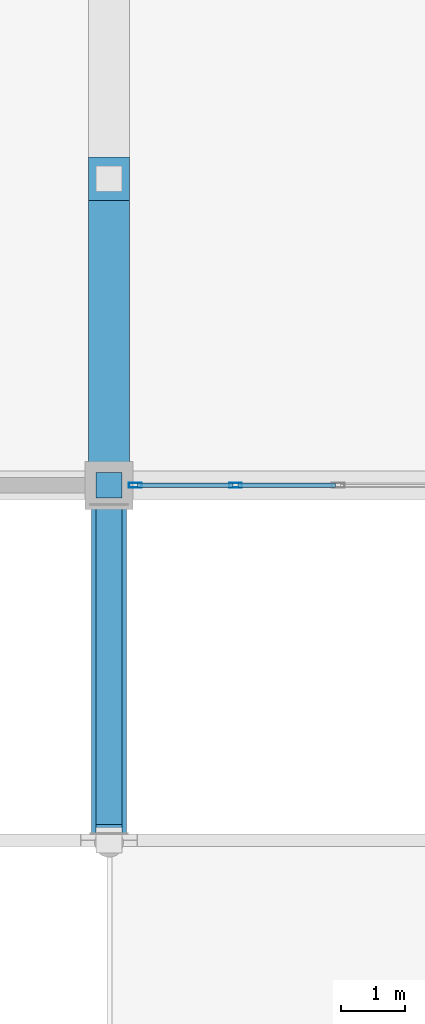
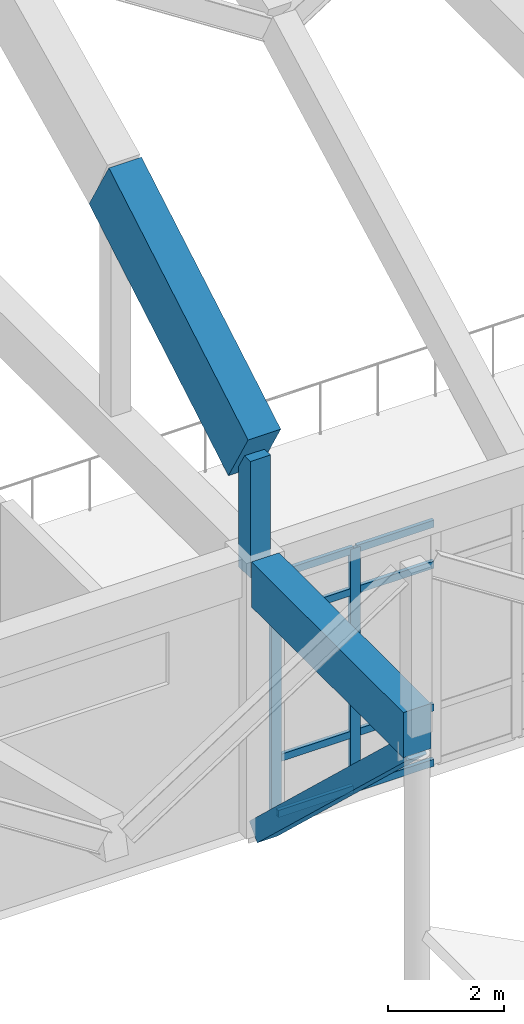
# One storey, part 29 of 236: 13 members, 1 beam, 1 element without a shape of its own.
"""IFC4 building model written with IfcOpenShell, lengths in metres."""

import ifcopenshell
import ifcopenshell.guid

model = None  # the IFC model being written
_history = None  # IfcOwnerHistory: only IFC2X3 demands one
_inside = {}  # id of a spatial element -> (the spatial element, [elements in it])
_under = {}  # id of a project, library or spatial element -> (it, [spatial elements below it])
_declared = {}  # id of a project -> (the project, [libraries it declares])
_typed = {}  # id of a type object -> (the type object, [elements of that type])
_made_of = {}  # id of a material, layer set ... -> (it, [elements and type objects made of it])


def new_model(schema):
    """Start an empty IFC model of exactly this schema.

    Asked for "IFC4X3", IfcOpenShell would pick the latest addendum, in which some entities
    have other attributes; the version numbers below select the first issue.
    IFC2X3 requires an IfcOwnerHistory on every rooted entity: one is made here for all.
    """
    global model, _history
    if schema == "IFC4X3":
        model = ifcopenshell.file(schema_version=(4, 3, 0, 0))
    else:
        model = ifcopenshell.file(schema=schema)
    _inside.clear()
    _under.clear()
    _declared.clear()
    _typed.clear()
    _made_of.clear()
    _history = None
    if model.schema == "IFC2X3":
        org = make("IfcOrganization", Name="unknown")
        user = make(
            "IfcPersonAndOrganization",
            ThePerson=make("IfcPerson", FamilyName="unknown"),
            TheOrganization=org,
        )
        app = make(
            "IfcApplication",
            ApplicationDeveloper=org,
            Version="unknown",
            ApplicationFullName="unknown",
            ApplicationIdentifier="unknown",
        )
        _history = make(
            "IfcOwnerHistory",
            OwningUser=user,
            OwningApplication=app,
            ChangeAction="ADDED",
            CreationDate=0,
        )
    return model


def make(cls, **values):
    """One entity of the class cls with the attributes given. An attribute that is None is left unset."""
    return model.create_entity(
        cls, **{name: value for name, value in values.items() if value is not None}
    )


def rooted(cls, **values):
    """An entity with a GlobalId (a new one), such as an element, a storey or a relation."""
    return make(cls, GlobalId=ifcopenshell.guid.new(), OwnerHistory=_history, **values)


def si_unit(unit_type, name, prefix=None):
    """IfcSIUnit, for example si_unit("LENGTHUNIT", "METRE", prefix="MILLI")."""
    return make("IfcSIUnit", UnitType=unit_type, Prefix=prefix, Name=name)


def assignment(units):
    """IfcUnitAssignment: the units of a project."""
    return None if units is None else make("IfcUnitAssignment", Units=units)


def point(xyz):
    """IfcCartesianPoint."""
    return None if xyz is None else make("IfcCartesianPoint", Coordinates=xyz)


def direction(xyz):
    """IfcDirection."""
    return None if xyz is None else make("IfcDirection", DirectionRatios=xyz)


def frame(location, z_axis=None, x_axis=None):
    """IfcAxis2Placement3D, a coordinate frame: its origin and axes. An axis left out is left unset."""
    return make(
        "IfcAxis2Placement3D",
        Location=point(location),
        Axis=direction(z_axis),
        RefDirection=direction(x_axis),
    )


def frame_2d(location, x_axis=None):
    """IfcAxis2Placement2D, a coordinate frame in the plane: its origin and x axis."""
    return make(
        "IfcAxis2Placement2D", Location=point(location), RefDirection=direction(x_axis)
    )


def origin():
    """The frame at (0, 0, 0) with its axes left unset."""
    return frame((0.0, 0.0, 0.0))


def origin_2d():
    """The frame at (0, 0) in the plane with its x axis left unset."""
    return frame_2d((0.0, 0.0))


def place(relative_to, where):
    """IfcLocalPlacement: puts the frame where relative to a parent placement (None: the world)."""
    return make(
        "IfcLocalPlacement", PlacementRelTo=relative_to, RelativePlacement=where
    )


def context(
    kind, dimensions, precision=None, world=None, true_north=None, identifier=None
):
    """IfcGeometricRepresentationContext, for example the 3D "Model" context."""
    return make(
        "IfcGeometricRepresentationContext",
        ContextIdentifier=identifier,
        ContextType=kind,
        CoordinateSpaceDimension=dimensions,
        Precision=precision,
        WorldCoordinateSystem=world,
        TrueNorth=true_north,
    )


def subcontext(parent, identifier, kind, view, scale=None):
    """IfcGeometricRepresentationSubContext, for example "Body" below "Model"."""
    return make(
        "IfcGeometricRepresentationSubContext",
        ContextIdentifier=identifier,
        ContextType=kind,
        ParentContext=parent,
        TargetScale=scale,
        TargetView=view,
    )


def project(units=None, contexts=None):
    """IfcProject with its units and contexts."""
    return rooted(
        "IfcProject",
        Name="project",
        RepresentationContexts=contexts,
        UnitsInContext=assignment(units),
    )


def spatial(cls, under=None, at=None, **own):
    """A site, building, storey or space (cls), placed at a placement, below another one or the project."""
    s = rooted(cls, ObjectPlacement=at, **own)
    if under is not None:
        _under.setdefault(under.id(), (under, []))[1].append(s)
    return s


def profile(cls, at=None, kind="AREA", **sizes):
    """A parametric profile (cls). Its sizes go by their IFC names, for example OverallWidth=200.0."""
    return make(cls, ProfileType=kind, Position=at, **sizes)


def rectangle(**sizes):
    """IfcRectangleProfileDef."""
    return profile("IfcRectangleProfileDef", **sizes)


def hollow_rectangle(**sizes):
    """IfcRectangleHollowProfileDef."""
    return profile("IfcRectangleHollowProfileDef", **sizes)


def extrude(swept, where, along, depth):
    """IfcExtrudedAreaSolid: the profile swept, set in the frame where, extruded along a direction by depth."""
    return make(
        "IfcExtrudedAreaSolid",
        SweptArea=swept,
        Position=where,
        ExtrudedDirection=direction(along),
        Depth=depth,
    )


def shape(context_of_items, identifier, shape_type, items):
    """IfcShapeRepresentation: the items that make up one representation, for example the "Body"."""
    return make(
        "IfcShapeRepresentation",
        ContextOfItems=context_of_items,
        RepresentationIdentifier=identifier,
        RepresentationType=shape_type,
        Items=items,
    )


def material(Name=None, Category=None):
    """IfcMaterial."""
    return make("IfcMaterial", Name=Name, Category=Category)


def layer(
    of_material, thickness, ventilated=None, Name=None, Category=None, Priority=None
):
    """IfcMaterialLayer: one layer of a wall or slab, of a material (None: an air gap)."""
    return make(
        "IfcMaterialLayer",
        Material=of_material,
        LayerThickness=thickness,
        IsVentilated=ventilated,
        Name=Name,
        Category=Category,
        Priority=Priority,
    )


def layer_set(layers, Name=None):
    """IfcMaterialLayerSet."""
    return make("IfcMaterialLayerSet", MaterialLayers=layers, LayerSetName=Name)


def material_profile(
    of_material, cross_section, Name=None, Category=None, Priority=None
):
    """IfcMaterialProfile: a cross section and its material."""
    return make(
        "IfcMaterialProfile",
        Name=Name,
        Material=of_material,
        Profile=cross_section,
        Priority=Priority,
        Category=Category,
    )


def profile_set(profiles, Name=None, composite=None):
    """IfcMaterialProfileSet."""
    return make(
        "IfcMaterialProfileSet",
        Name=Name,
        MaterialProfiles=profiles,
        CompositeProfile=composite,
    )


def made_of(thing, what):
    """Note that an element or type object is made of a material, layer set ...; save() writes the relation."""
    if what is not None:
        _made_of.setdefault(what.id(), (what, []))[1].append(thing)
    return thing


def type_object(cls, material=None, **own):
    """A type object (cls), such as IfcWallType, which elements share."""
    return made_of(rooted(cls, **own), material)


def element(
    cls,
    number,
    at=None,
    inside=None,
    cuts=None,
    type_object=None,
    material=None,
    context=None,
    identifier="Body",
    shape_type=None,
    held_by="IfcProductDefinitionShape",
    body=None,
    shapes=None,
    **own,
):
    """One element of the class cls, such as IfcWall. Its Tag is "e" and its number.

    at: its placement. inside: the storey or other place that contains it. cuts: it is an
    opening in that element (IfcRelVoidsElement). A single representation is given by context,
    identifier, shape_type and body (its items); several are given by shapes. held_by: the class
    of the entity that holds the representations. save() writes the other relations.
    """
    e = rooted(cls, Tag="e%d" % number, ObjectPlacement=at, **own)
    if body is not None:
        shapes = [shape(context, identifier, shape_type, body)]
    if shapes is not None:
        e.Representation = make(held_by, Representations=shapes)
    if inside is not None:
        _inside.setdefault(inside.id(), (inside, []))[1].append(e)
    if cuts is not None:
        rooted(
            "IfcRelVoidsElement", RelatingBuildingElement=cuts, RelatedOpeningElement=e
        )
    if type_object is not None:
        _typed.setdefault(type_object.id(), (type_object, []))[1].append(e)
    return made_of(e, material)


def aggregate(whole, parts):
    """IfcRelAggregates: a whole, such as a stair, and the parts it consists of."""
    return rooted("IfcRelAggregates", RelatingObject=whole, RelatedObjects=parts)


def save(model, path):
    """Write the relations noted so far, then the file.

    IfcRelAggregates (storeys below a building ...), IfcRelContainedInSpatialStructure (elements
    in a storey), IfcRelDefinesByType, IfcRelAssociatesMaterial and IfcRelDeclares: one each for
    every whole, place, type object, material and project.
    """
    for whole, parts in _under.values():
        aggregate(whole, parts)
    for where, things in _inside.values():
        rooted(
            "IfcRelContainedInSpatialStructure",
            RelatedElements=things,
            RelatingStructure=where,
        )
    for kind, things in _typed.values():
        rooted("IfcRelDefinesByType", RelatedObjects=things, RelatingType=kind)
    for what, things in _made_of.values():
        rooted("IfcRelAssociatesMaterial", RelatedObjects=things, RelatingMaterial=what)
    for by, libraries in _declared.values():
        rooted("IfcRelDeclares", RelatingContext=by, RelatedDefinitions=libraries)
    model.write(path)


model = new_model("IFC4")

# Units and contexts
model_context = context("Model", 3, precision=1e-05, world=origin(), true_north=direction((0.0, 1.0)))
body_context = subcontext(model_context, "Body", "Model", "MODEL_VIEW")
ifc_project = project(units=[si_unit("LENGTHUNIT", "METRE"), si_unit("AREAUNIT", "SQUARE_METRE"), si_unit("VOLUMEUNIT", "CUBIC_METRE"), si_unit("PLANEANGLEUNIT", "RADIAN"), si_unit("MASSUNIT", "GRAM", prefix="KILO")], contexts=[model_context])

# Site, building, storey
site_placement = place(None, origin())
site = spatial("IfcSite", under=ifc_project, at=site_placement, CompositionType="ELEMENT")
building_placement = place(site_placement, origin())
building = spatial("IfcBuilding", under=site, at=building_placement, Name="Pandanus Reach Market Hall", CompositionType="ELEMENT")
storey_placement = place(building_placement, frame((0.0, 0.0, 5.39990234375)))
storey = spatial("IfcBuildingStorey", under=building, at=storey_placement, Name="L01", CompositionType="ELEMENT", Elevation=5.39990234375)

# Members
ifc_material_1 = material(Name="Concrete N50 (50 MPa)", Category="concrete")
ifc_material_profile_1 = material_profile(ifc_material_1, rectangle(XDim=0.64990234375, YDim=1.35009765625, at=origin_2d()), Name="RC650x1350", Category="LoadBearing")
ifc_profile_set_1 = profile_set([ifc_material_profile_1], Name="Concrete N50 (50 MPa)")
member_type_1 = type_object("IfcMemberType", Name="AR-RC650-E", PredefinedType="CHORD", material=ifc_profile_set_1)
member_1_placement = place(storey_placement, frame((60.0, 28.800048828125, 7.780029296875), z_axis=(0.0, 0.862897305689, 0.505379302935), x_axis=(-1.0, 0.0, 0.0)))
element("IfcMember", 1, at=member_1_placement, inside=storey, type_object=member_type_1, Name="Parabolic arch top chord A2.1", PredefinedType="CHORD", context=body_context, shape_type="SweptSolid", body=[
    extrude(rectangle(XDim=0.64990234375, YDim=1.35009765625, at=origin_2d()), origin(), (0.0, 0.0, 1.0), 5.562744140625),
])
ifc_material_profile_2 = material_profile(ifc_material_1, rectangle(XDim=0.39990234375, YDim=0.39990234375, at=origin_2d()), Name="RC400x400", Category="LoadBearing")
ifc_profile_set_2 = profile_set([ifc_material_profile_2], Name="Concrete N50 (50 MPa)")
member_type_2 = type_object("IfcMemberType", Name="AR-WEB400-E", PredefinedType="STRUT", material=ifc_profile_set_2)
member_2_placement = place(storey_placement, frame((60.0, 28.800048828125, 5.3251953125), z_axis=(0.0, 0.0, 1.0), x_axis=(1.0, 0.0, 0.0)))
element("IfcMember", 2, at=member_2_placement, inside=storey, type_object=member_type_2, Name="Arch springing concrete strut A2.S", PredefinedType="STRUT", context=body_context, shape_type="SweptSolid", body=[
    extrude(rectangle(XDim=0.39990234375, YDim=0.39990234375, at=origin_2d()), origin(), (0.0, 0.0, 1.0), 2.454833984375),
])

# Beam
ifc_material_profile_3 = material_profile(ifc_material_1, rectangle(XDim=0.550048828125, YDim=0.949951171875, at=origin_2d()), Name="RC550x950", Category="LoadBearing")
ifc_profile_set_3 = profile_set([ifc_material_profile_3], Name="Concrete N50 (50 MPa)")
beam_type = type_object("IfcBeamType", Name="BM-RC550-E", PredefinedType="BEAM", material=ifc_profile_set_3)
beam_placement = place(storey_placement, frame((60.0, 23.199951171875, 5.3251953125), z_axis=(0.0, 1.0, 0.0), x_axis=(-1.0, 0.0, 0.0)))
element("IfcBeam", 3, at=beam_placement, inside=storey, type_object=beam_type, Name="Zigzag south eaves cantilever girder A2", PredefinedType="BEAM", context=body_context, shape_type="SweptSolid", body=[
    extrude(rectangle(XDim=0.550048828125, YDim=0.949951171875, at=origin_2d()), origin(), (0.0, 0.0, 1.0), 5.22998046875),
])

# Curtain wall, members
ifc_material_2 = material(Name="Bronze anodised aluminium and low-E glass", Category="aluminium")
ifc_layer = layer(ifc_material_2, 0.199951171875, Name="CW-02")
ifc_layer_set = layer_set([ifc_layer], Name="Bronze anodised aluminium and low-E glass")
curtain_wall_type = type_object("IfcCurtainWallType", Name="CW-02", PredefinedType="NOTDEFINED", material=ifc_layer_set)
curtain_wall_placement = place(storey_placement, origin())
curtain_wall = element("IfcCurtainWall", 4, at=curtain_wall_placement, inside=storey, type_object=curtain_wall_type, Name="Glazed curtain wall CW-02 CW-0002", PredefinedType="NOTDEFINED")
ifc_material_3 = material(Name="Bronze anodised aluminium", Category="aluminium")
ifc_material_profile_4 = material_profile(ifc_material_3, hollow_rectangle(XDim=0.074951171875, YDim=0.199951171875, WallThickness=0.00439453125, at=origin_2d()), Name="ALU75x200", Category="LoadBearing")
ifc_profile_set_4 = profile_set([ifc_material_profile_4], Name="Bronze anodised aluminium")
member_type_3 = type_object("IfcMemberType", Name="CW-M2", PredefinedType="MULLION", material=ifc_profile_set_4)
member_3_placement = place(storey_placement, frame((60.41259765625, 28.800048828125, 0.0), z_axis=(0.0, 0.0, 1.0), x_axis=(0.0, 1.0, 0.0)))
member_3 = element("IfcMember", 5, at=member_3_placement, type_object=member_type_3, Name="CW-02 mullion 1", PredefinedType="MULLION", context=body_context, shape_type="SweptSolid", body=[
    extrude(hollow_rectangle(XDim=0.074951171875, YDim=0.199951171875, WallThickness=0.00439453125, at=origin_2d()), origin(), (0.0, 0.0, 1.0), 5.10009765625),
])
member_4_placement = place(storey_placement, frame((61.982177734375, 28.800048828125, 0.0), z_axis=(0.0, 0.0, 1.0), x_axis=(0.0, 1.0, 0.0)))
member_4 = element("IfcMember", 6, at=member_4_placement, type_object=member_type_3, Name="CW-02 mullion 2", PredefinedType="MULLION", context=body_context, shape_type="SweptSolid", body=[
    extrude(hollow_rectangle(XDim=0.074951171875, YDim=0.199951171875, WallThickness=0.00439453125, at=origin_2d()), origin(), (0.0, 0.0, 1.0), 5.10009765625),
])
ifc_material_profile_5 = material_profile(ifc_material_3, hollow_rectangle(XDim=0.074951171875, YDim=0.14990234375, WallThickness=0.00439453125, at=origin_2d()), Name="ALU75x150", Category="LoadBearing")
ifc_profile_set_5 = profile_set([ifc_material_profile_5], Name="Bronze anodised aluminium")
member_type_4 = type_object("IfcMemberType", Name="CW-T2", PredefinedType="USERDEFINED", material=ifc_profile_set_5)
member_5_placement = place(storey_placement, frame((60.449951171875, 28.800048828125, 0.03759765625), z_axis=(1.0, 0.0, 0.0), x_axis=(0.0, 1.0, 0.0)))
member_5 = element("IfcMember", 7, at=member_5_placement, type_object=member_type_4, Name="CW-02 transom 1.1", ObjectType="TRANSOM", PredefinedType="USERDEFINED", context=body_context, shape_type="SweptSolid", body=[
    extrude(hollow_rectangle(XDim=0.074951171875, YDim=0.14990234375, WallThickness=0.00439453125, at=origin_2d()), origin(), (0.0, 0.0, 1.0), 1.49462890625),
])
member_6_placement = place(storey_placement, frame((60.449951171875, 28.800048828125, 1.2001953125), z_axis=(1.0, 0.0, 0.0), x_axis=(0.0, 1.0, 0.0)))
member_6 = element("IfcMember", 8, at=member_6_placement, type_object=member_type_4, Name="CW-02 transom 1.2", ObjectType="TRANSOM", PredefinedType="USERDEFINED", context=body_context, shape_type="SweptSolid", body=[
    extrude(hollow_rectangle(XDim=0.074951171875, YDim=0.14990234375, WallThickness=0.00439453125, at=origin_2d()), origin(), (0.0, 0.0, 1.0), 1.49462890625),
])
member_7_placement = place(storey_placement, frame((60.449951171875, 28.800048828125, 4.2001953125), z_axis=(1.0, 0.0, 0.0), x_axis=(0.0, 1.0, 0.0)))
member_7 = element("IfcMember", 9, at=member_7_placement, type_object=member_type_4, Name="CW-02 transom 1.3", ObjectType="TRANSOM", PredefinedType="USERDEFINED", context=body_context, shape_type="SweptSolid", body=[
    extrude(hollow_rectangle(XDim=0.074951171875, YDim=0.14990234375, WallThickness=0.00439453125, at=origin_2d()), origin(), (0.0, 0.0, 1.0), 1.49462890625),
])
member_8_placement = place(storey_placement, frame((60.449951171875, 28.800048828125, 5.0625), z_axis=(1.0, 0.0, 0.0), x_axis=(0.0, 1.0, 0.0)))
member_8 = element("IfcMember", 10, at=member_8_placement, type_object=member_type_4, Name="CW-02 transom 1.4", ObjectType="TRANSOM", PredefinedType="USERDEFINED", context=body_context, shape_type="SweptSolid", body=[
    extrude(hollow_rectangle(XDim=0.074951171875, YDim=0.14990234375, WallThickness=0.00439453125, at=origin_2d()), origin(), (0.0, 0.0, 1.0), 1.49462890625),
])
member_9_placement = place(storey_placement, frame((62.01953125, 28.800048828125, 0.03759765625), z_axis=(1.0, 0.0, 0.0), x_axis=(0.0, 1.0, 0.0)))
member_9 = element("IfcMember", 11, at=member_9_placement, type_object=member_type_4, Name="CW-02 transom 2.1", ObjectType="TRANSOM", PredefinedType="USERDEFINED", context=body_context, shape_type="SweptSolid", body=[
    extrude(hollow_rectangle(XDim=0.074951171875, YDim=0.14990234375, WallThickness=0.00439453125, at=origin_2d()), origin(), (0.0, 0.0, 1.0), 1.5322265625),
])
member_10_placement = place(storey_placement, frame((62.01953125, 28.800048828125, 1.2001953125), z_axis=(1.0, 0.0, 0.0), x_axis=(0.0, 1.0, 0.0)))
member_10 = element("IfcMember", 12, at=member_10_placement, type_object=member_type_4, Name="CW-02 transom 2.2", ObjectType="TRANSOM", PredefinedType="USERDEFINED", context=body_context, shape_type="SweptSolid", body=[
    extrude(hollow_rectangle(XDim=0.074951171875, YDim=0.14990234375, WallThickness=0.00439453125, at=origin_2d()), origin(), (0.0, 0.0, 1.0), 1.5322265625),
])
member_11_placement = place(storey_placement, frame((62.01953125, 28.800048828125, 4.2001953125), z_axis=(1.0, 0.0, 0.0), x_axis=(0.0, 1.0, 0.0)))
member_11 = element("IfcMember", 13, at=member_11_placement, type_object=member_type_4, Name="CW-02 transom 2.3", ObjectType="TRANSOM", PredefinedType="USERDEFINED", context=body_context, shape_type="SweptSolid", body=[
    extrude(hollow_rectangle(XDim=0.074951171875, YDim=0.14990234375, WallThickness=0.00439453125, at=origin_2d()), origin(), (0.0, 0.0, 1.0), 1.5322265625),
])
member_12_placement = place(storey_placement, frame((62.01953125, 28.800048828125, 5.0625), z_axis=(1.0, 0.0, 0.0), x_axis=(0.0, 1.0, 0.0)))
member_12 = element("IfcMember", 14, at=member_12_placement, type_object=member_type_4, Name="CW-02 transom 2.4", ObjectType="TRANSOM", PredefinedType="USERDEFINED", context=body_context, shape_type="SweptSolid", body=[
    extrude(hollow_rectangle(XDim=0.074951171875, YDim=0.14990234375, WallThickness=0.00439453125, at=origin_2d()), origin(), (0.0, 0.0, 1.0), 1.5322265625),
])
aggregate(curtain_wall, [member_3, member_4, member_5, member_6, member_7, member_8, member_9, member_10, member_11, member_12])

# Member
ifc_material_profile_6 = material_profile(ifc_material_1, rectangle(XDim=0.39990234375, YDim=0.39990234375, at=origin_2d()), Name="RC400x400", Category="LoadBearing")
ifc_profile_set_6 = profile_set([ifc_material_profile_6], Name="Concrete N50 (50 MPa)")
member_type_5 = type_object("IfcMemberType", Name="VS-RC400-E", PredefinedType="STRUT", material=ifc_profile_set_6)
member_13_placement = place(storey_placement, frame((60.0, 28.5, 0.050048828125), z_axis=(0.0, -0.72797908325, 0.68559933952), x_axis=(1.0, 0.0, 0.0)))
element("IfcMember", 15, at=member_13_placement, inside=storey, type_object=member_type_5, Name="Splayed concrete south arcade V-strut A2.1", PredefinedType="STRUT", context=body_context, shape_type="SweptSolid", body=[
    extrude(rectangle(XDim=0.39990234375, YDim=0.39990234375, at=origin_2d()), origin(), (0.0, 0.0, 1.0), 7.07421875),
])

save(model, "model.ifc")
